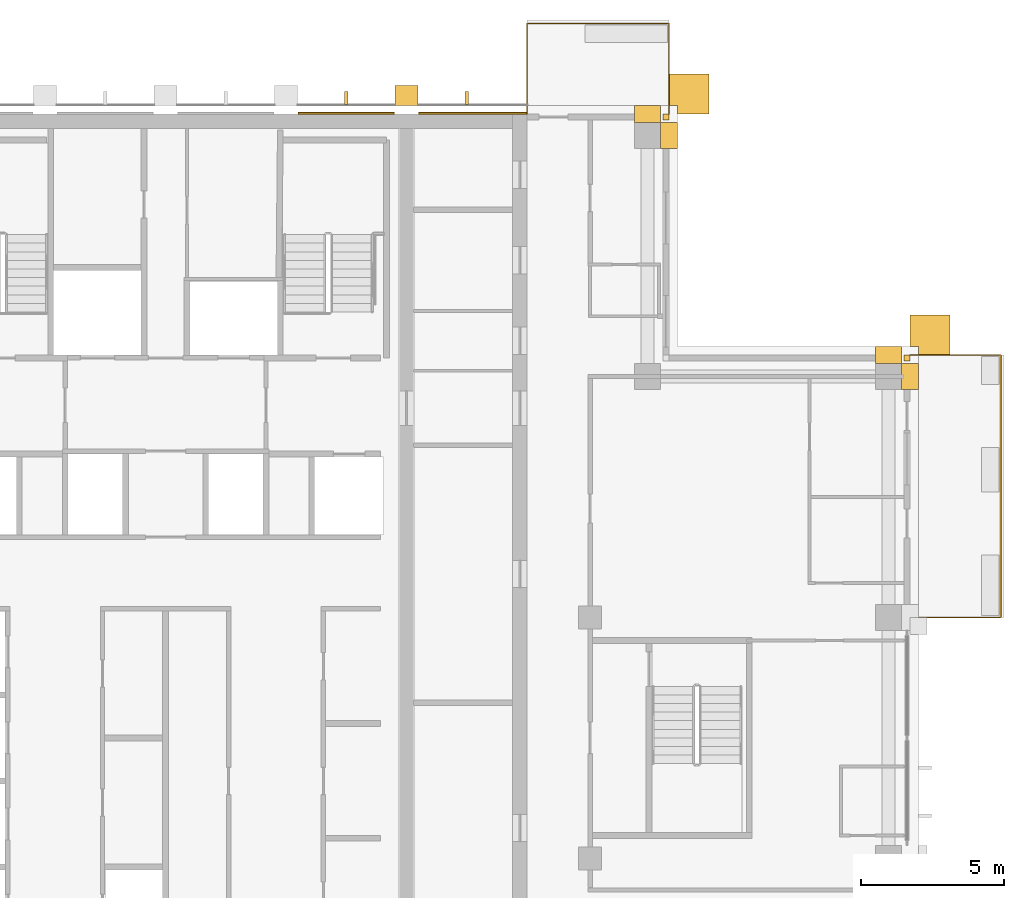
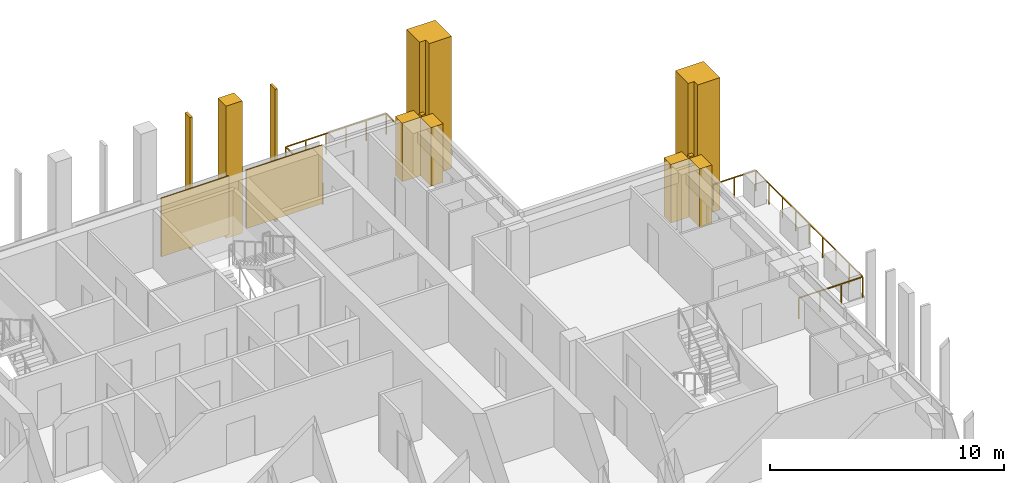
# One storey, part 16 of 16: 13 coverings, 2 railings.
"""IFC4 building model written with IfcOpenShell, lengths in metres."""

from ifc_helpers import new_model, si_unit, direction, frame, origin, origin_2d, place, context, subcontext, project, spatial, polyline, rectangle, outline, extrude, material, layer, layer_set, type_object, element, save


model = new_model("IFC4")

# Units and contexts
model_context = context("Model", 3, precision=1e-05, world=origin(), true_north=direction((0.0, 1.0)))
body_context = subcontext(model_context, "Body", "Model", "MODEL_VIEW")
ifc_project = project(units=[si_unit("LENGTHUNIT", "METRE"), si_unit("AREAUNIT", "SQUARE_METRE"), si_unit("VOLUMEUNIT", "CUBIC_METRE"), si_unit("PLANEANGLEUNIT", "RADIAN"), si_unit("MASSUNIT", "GRAM", prefix="KILO")], contexts=[model_context])

# Site, building, storey
site_placement = place(None, origin())
site = spatial("IfcSite", under=ifc_project, at=site_placement, CompositionType="ELEMENT")
building_placement = place(site_placement, origin())
building = spatial("IfcBuilding", under=site, at=building_placement, Name="Vermilion Ogive Tower", CompositionType="ELEMENT")
storey_placement = place(building_placement, frame((0.0, 0.0, 233.800048828125)))
storey = spatial("IfcBuildingStorey", under=building, at=storey_placement, Name="L61", CompositionType="ELEMENT", Elevation=233.800048828125)

# Railings
ifc_material_1 = material(Name="Stainless steel and glass", Category="steel")
railing_type = type_object("IfcRailingType", Name="Balcony guard", PredefinedType="GUARDRAIL", material=ifc_material_1)
railing_1_placement = place(storey_placement, frame((25.949951171875, 4.199951171875, -0.0400390625)))
element("IfcRailing", 1, at=railing_1_placement, inside=storey, type_object=railing_type, Name="Guard E03", PredefinedType="GUARDRAIL", context=body_context, shape_type="SweptSolid", body=[
    extrude(rectangle(XDim=0.048095703125, YDim=0.048095703125, at=origin_2d()), frame((0.0, 0.0, 1.076171875), z_axis=(1.0, 0.0, 0.0), x_axis=(0.0, 1.0, 0.0)), (0.0, 0.0, 1.0), 3.16015625),
    extrude(rectangle(XDim=0.048095703125, YDim=0.048095703125, at=origin_2d()), frame((3.16015625, 0.0, 1.076171875), z_axis=(0.0, 1.0, 0.0), x_axis=(-1.0, 0.0, 0.0)), (0.0, 0.0, 1.0), 9.150146484375),
    extrude(rectangle(XDim=0.048095703125, YDim=0.048095703125, at=origin_2d()), frame((3.16015625, 9.150146484375, 1.076171875), z_axis=(-1.0, 0.0, 0.0), x_axis=(0.0, -1.0, 0.0)), (0.0, 0.0, 1.0), 3.16015625),
    extrude(rectangle(XDim=0.0419921875, YDim=0.0419921875, at=origin_2d()), origin(), (0.0, 0.0, 1.0), 1.052001953125),
    extrude(rectangle(XDim=0.0419921875, YDim=0.0419921875, at=origin_2d()), frame((1.053466796875, 0.0, 0.0)), (0.0, 0.0, 1.0), 1.052001953125),
    extrude(rectangle(XDim=0.0419921875, YDim=0.0419921875, at=origin_2d()), frame((2.106689453125, 0.0, 0.0)), (0.0, 0.0, 1.0), 1.052001953125),
    extrude(rectangle(XDim=0.0419921875, YDim=0.0419921875, at=origin_2d()), frame((3.16015625, 0.0, 0.0)), (0.0, 0.0, 1.0), 1.052001953125),
    extrude(rectangle(XDim=0.0419921875, YDim=0.0419921875, at=origin_2d()), frame((3.16015625, 1.143798828125, 0.0)), (0.0, 0.0, 1.0), 1.052001953125),
    extrude(rectangle(XDim=0.0419921875, YDim=0.0419921875, at=origin_2d()), frame((3.16015625, 2.28759765625, 0.0)), (0.0, 0.0, 1.0), 1.052001953125),
    extrude(rectangle(XDim=0.0419921875, YDim=0.0419921875, at=origin_2d()), frame((3.16015625, 3.431396484375, 0.0)), (0.0, 0.0, 1.0), 1.052001953125),
    extrude(rectangle(XDim=0.0419921875, YDim=0.0419921875, at=origin_2d()), frame((3.16015625, 4.5751953125, 0.0)), (0.0, 0.0, 1.0), 1.052001953125),
    extrude(rectangle(XDim=0.0419921875, YDim=0.0419921875, at=origin_2d()), frame((3.16015625, 5.71875, 0.0)), (0.0, 0.0, 1.0), 1.052001953125),
    extrude(rectangle(XDim=0.0419921875, YDim=0.0419921875, at=origin_2d()), frame((3.16015625, 6.862548828125, 0.0)), (0.0, 0.0, 1.0), 1.052001953125),
    extrude(rectangle(XDim=0.0419921875, YDim=0.0419921875, at=origin_2d()), frame((3.16015625, 8.00634765625, 0.0)), (0.0, 0.0, 1.0), 1.052001953125),
    extrude(rectangle(XDim=0.0419921875, YDim=0.0419921875, at=origin_2d()), frame((3.16015625, 9.150146484375, 0.0)), (0.0, 0.0, 1.0), 1.052001953125),
    extrude(rectangle(XDim=0.0419921875, YDim=0.0419921875, at=origin_2d()), frame((2.106689453125, 9.150146484375, 0.0)), (0.0, 0.0, 1.0), 1.052001953125),
    extrude(rectangle(XDim=0.0419921875, YDim=0.0419921875, at=origin_2d()), frame((1.053466796875, 9.150146484375, 0.0)), (0.0, 0.0, 1.0), 1.052001953125),
    extrude(rectangle(XDim=0.0419921875, YDim=0.0419921875, at=origin_2d()), frame((0.0, 9.150146484375, 0.0)), (0.0, 0.0, 1.0), 1.052001953125),
])
railing_2_placement = place(storey_placement, frame((17.550048828125, 21.75, -0.0400390625)))
element("IfcRailing", 2, at=railing_2_placement, inside=storey, type_object=railing_type, Name="Guard N101", PredefinedType="GUARDRAIL", context=body_context, shape_type="SweptSolid", body=[
    extrude(rectangle(XDim=0.048095703125, YDim=0.048095703125, at=origin_2d()), frame((0.0, 0.0, 1.076171875), z_axis=(0.0, 1.0, 0.0), x_axis=(-1.0, 0.0, 0.0)), (0.0, 0.0, 1.0), 3.159912109375),
    extrude(rectangle(XDim=0.048095703125, YDim=0.048095703125, at=origin_2d()), frame((0.0, 3.159912109375, 1.076171875), z_axis=(-1.0, 0.0, 0.0), x_axis=(0.0, -1.0, 0.0)), (0.0, 0.0, 1.0), 4.949951171875),
    extrude(rectangle(XDim=0.048095703125, YDim=0.048095703125, at=origin_2d()), frame((-4.949951171875, 3.159912109375, 1.076171875), z_axis=(0.0, -1.0, 0.0), x_axis=(1.0, 0.0, 0.0)), (0.0, 0.0, 1.0), 3.159912109375),
    extrude(rectangle(XDim=0.0419921875, YDim=0.0419921875, at=origin_2d()), origin(), (0.0, 0.0, 1.0), 1.052001953125),
    extrude(rectangle(XDim=0.0419921875, YDim=0.0419921875, at=origin_2d()), frame((0.0, 1.05322265625, 0.0)), (0.0, 0.0, 1.0), 1.052001953125),
    extrude(rectangle(XDim=0.0419921875, YDim=0.0419921875, at=origin_2d()), frame((0.0, 2.106689453125, 0.0)), (0.0, 0.0, 1.0), 1.052001953125),
    extrude(rectangle(XDim=0.0419921875, YDim=0.0419921875, at=origin_2d()), frame((0.0, 3.159912109375, 0.0)), (0.0, 0.0, 1.0), 1.052001953125),
    extrude(rectangle(XDim=0.0419921875, YDim=0.0419921875, at=origin_2d()), frame((-0.989990234375, 3.159912109375, 0.0)), (0.0, 0.0, 1.0), 1.052001953125),
    extrude(rectangle(XDim=0.0419921875, YDim=0.0419921875, at=origin_2d()), frame((-1.97998046875, 3.159912109375, 0.0)), (0.0, 0.0, 1.0), 1.052001953125),
    extrude(rectangle(XDim=0.0419921875, YDim=0.0419921875, at=origin_2d()), frame((-2.969970703125, 3.159912109375, 0.0)), (0.0, 0.0, 1.0), 1.052001953125),
    extrude(rectangle(XDim=0.0419921875, YDim=0.0419921875, at=origin_2d()), frame((-3.9599609375, 3.159912109375, 0.0)), (0.0, 0.0, 1.0), 1.052001953125),
    extrude(rectangle(XDim=0.0419921875, YDim=0.0419921875, at=origin_2d()), frame((-4.949951171875, 3.159912109375, 0.0)), (0.0, 0.0, 1.0), 1.052001953125),
    extrude(rectangle(XDim=0.0419921875, YDim=0.0419921875, at=origin_2d()), frame((-4.949951171875, 2.106689453125, 0.0)), (0.0, 0.0, 1.0), 1.052001953125),
    extrude(rectangle(XDim=0.0419921875, YDim=0.0419921875, at=origin_2d()), frame((-4.949951171875, 1.05322265625, 0.0)), (0.0, 0.0, 1.0), 1.052001953125),
    extrude(rectangle(XDim=0.0419921875, YDim=0.0419921875, at=origin_2d()), frame((-4.949951171875, 0.0, 0.0)), (0.0, 0.0, 1.0), 1.052001953125),
])

# Coverings
ifc_material_2 = material(Name="Glazed ceramic screen")
ifc_layer = layer(ifc_material_2, 0.14990234375)
ifc_layer_set = layer_set([ifc_layer], Name="Ceramic solar screen fin")
covering_type_1 = type_object("IfcCoveringType", Name="Ceramic solar screen fin", PredefinedType="CLADDING", material=ifc_layer_set)
covering_1_placement = place(storey_placement, frame((0.0, 0.0, -0.400146484375)))
element("IfcCovering", 3, at=covering_1_placement, inside=storey, type_object=covering_type_1, Name="Solar screen blade N5", PredefinedType="CLADDING", context=body_context, shape_type="SweptSolid", body=[
    extrude(outline(polyline([(6.239990234375, 22.08203125), (6.360107421875, 22.08203125), (6.360107421875, 22.531982421875), (6.239990234375, 22.531982421875), (6.239990234375, 22.08203125)])), origin(), (0.0, 0.0, 1.0), 6.900146484375),
])
covering_2_placement = place(storey_placement, frame((0.0, 0.0, -0.400146484375)))
element("IfcCovering", 4, at=covering_2_placement, inside=storey, type_object=covering_type_1, Name="Solar screen blade N6", PredefinedType="CLADDING", context=body_context, shape_type="SweptSolid", body=[
    extrude(outline(polyline([(10.43994140625, 22.08203125), (10.56005859375, 22.08203125), (10.56005859375, 22.531982421875), (10.43994140625, 22.531982421875), (10.43994140625, 22.08203125)])), origin(), (0.0, 0.0, 1.0), 6.900146484375),
])
ifc_material_3 = material(Name="Stone cladding", Category="masonry")
covering_type_2 = type_object("IfcCoveringType", Name="Stone buttress pier", PredefinedType="CLADDING", material=ifc_material_3)
covering_3_placement = place(storey_placement, frame((0.0, 0.0, -0.400146484375)))
element("IfcCovering", 5, at=covering_3_placement, inside=storey, type_object=covering_type_2, Name="Stone buttress pier N5", PredefinedType="CLADDING", context=body_context, shape_type="SweptSolid", body=[
    extrude(outline(polyline([(8.800048828125, 22.75), (8.800048828125, 22.050048828125), (8.0, 22.050048828125), (8.0, 22.75), (8.800048828125, 22.75)])), origin(), (0.0, 0.0, 1.0), 6.900146484375),
])
ifc_material_4 = material(Name="Stone cladding", Category="masonry")
covering_type_3 = type_object("IfcCoveringType", Name="Stone cladding panel", PredefinedType="CLADDING", material=ifc_material_4)
covering_4_placement = place(storey_placement, origin())
element("IfcCovering", 6, at=covering_4_placement, inside=storey, type_object=covering_type_3, Name="Stone cladding panel N5", PredefinedType="CLADDING", context=body_context, shape_type="SweptSolid", body=[
    extrude(outline(polyline([(4.6298828125, 21.75), (7.969970703125, 21.75), (7.969970703125, 21.81005859375), (4.6298828125, 21.81005859375), (4.6298828125, 21.75)])), origin(), (0.0, 0.0, 1.0), 3.050048828125),
])
covering_5_placement = place(storey_placement, origin())
element("IfcCovering", 7, at=covering_5_placement, inside=storey, type_object=covering_type_3, Name="Stone cladding panel N6", PredefinedType="CLADDING", context=body_context, shape_type="SweptSolid", body=[
    extrude(outline(polyline([(8.830078125, 21.75), (12.590087890625, 21.75), (12.590087890625, 21.81005859375), (8.830078125, 21.81005859375), (8.830078125, 21.75)])), origin(), (0.0, 0.0, 1.0), 3.050048828125),
])
ifc_material_5 = material(Name="Stone cladding", Category="masonry")
covering_type_4 = type_object("IfcCoveringType", Name="Stone corner buttress", PredefinedType="CLADDING", material=ifc_material_5)
covering_6_placement = place(storey_placement, frame((0.0, 0.0, -0.400146484375)))
element("IfcCovering", 8, at=covering_6_placement, inside=storey, type_object=covering_type_4, Name="Stone corner buttress X31", PredefinedType="CLADDING", context=body_context, shape_type="SweptSolid", body=[
    extrude(outline(polyline([(27.35009765625, 13.35009765625), (26.25, 13.35009765625), (26.25, 13.64990234375), (25.949951171875, 13.64990234375), (25.949951171875, 14.75), (27.35009765625, 14.75), (27.35009765625, 13.35009765625)])), origin(), (0.0, 0.0, 1.0), 6.900146484375),
])
covering_7_placement = place(storey_placement, frame((0.0, 0.0, -0.400146484375)))
element("IfcCovering", 9, at=covering_7_placement, inside=storey, type_object=covering_type_4, Name="Stone corner buttress N11", PredefinedType="CLADDING", context=body_context, shape_type="SweptSolid", body=[
    extrude(outline(polyline([(17.85009765625, 22.050048828125), (17.550048828125, 22.050048828125), (17.550048828125, 23.14990234375), (18.949951171875, 23.14990234375), (18.949951171875, 21.75), (17.85009765625, 21.75), (17.85009765625, 22.050048828125)])), origin(), (0.0, 0.0, 1.0), 6.900146484375),
])
ifc_material_6 = material(Name="Stone cladding", Category="masonry")
covering_type_5 = type_object("IfcCoveringType", Name="Stone pier", PredefinedType="CLADDING", material=ifc_material_6)
covering_8_placement = place(storey_placement, origin())
element("IfcCovering", 10, at=covering_8_placement, inside=storey, type_object=covering_type_5, Name="Stone corner pier EE1", PredefinedType="CLADDING", context=body_context, shape_type="SweptSolid", body=[
    extrude(outline(polyline([(25.75, 13.14990234375), (25.75, 13.35009765625), (25.949951171875, 13.35009765625), (25.949951171875, 13.14990234375), (25.75, 13.14990234375)])), origin(), (0.0, 0.0, 1.0), 3.050048828125),
])
covering_9_placement = place(storey_placement, origin())
element("IfcCovering", 11, at=covering_9_placement, inside=storey, type_object=covering_type_5, Name="Stone corner pier X4E1", PredefinedType="CLADDING", context=body_context, shape_type="SweptSolid", body=[
    extrude(outline(polyline([(17.35009765625, 21.550048828125), (17.35009765625, 21.75), (17.550048828125, 21.75), (17.550048828125, 21.550048828125), (17.35009765625, 21.550048828125)])), origin(), (0.0, 0.0, 1.0), 3.050048828125),
])
covering_10_placement = place(storey_placement, origin())
element("IfcCovering", 12, at=covering_10_placement, inside=storey, type_object=covering_type_5, Name="Stone pier P+0168+210X4", PredefinedType="CLADDING", context=body_context, shape_type="SweptSolid", body=[
    extrude(outline(polyline([(17.85009765625, 21.449951171875), (17.85009765625, 20.550048828125), (17.25, 20.550048828125), (17.25, 21.449951171875), (17.85009765625, 21.449951171875)])), origin(), (0.0, 0.0, 1.0), 3.050048828125),
])
covering_11_placement = place(storey_placement, origin())
element("IfcCovering", 13, at=covering_11_placement, inside=storey, type_object=covering_type_5, Name="Stone pier P+0168+210N1", PredefinedType="CLADDING", context=body_context, shape_type="SweptSolid", body=[
    extrude(outline(polyline([(17.25, 22.050048828125), (17.25, 21.449951171875), (16.35009765625, 21.449951171875), (16.35009765625, 22.050048828125), (17.25, 22.050048828125)])), origin(), (0.0, 0.0, 1.0), 3.050048828125),
])
covering_12_placement = place(storey_placement, origin())
element("IfcCovering", 14, at=covering_12_placement, inside=storey, type_object=covering_type_5, Name="Stone pier P+0252+126E", PredefinedType="CLADDING", context=body_context, shape_type="SweptSolid", body=[
    extrude(outline(polyline([(26.25, 13.050048828125), (26.25, 12.14990234375), (25.64990234375, 12.14990234375), (25.64990234375, 13.050048828125), (26.25, 13.050048828125)])), origin(), (0.0, 0.0, 1.0), 3.050048828125),
])
covering_13_placement = place(storey_placement, origin())
element("IfcCovering", 15, at=covering_13_placement, inside=storey, type_object=covering_type_5, Name="Stone pier P+0252+126X3", PredefinedType="CLADDING", context=body_context, shape_type="SweptSolid", body=[
    extrude(outline(polyline([(25.64990234375, 13.64990234375), (25.64990234375, 13.050048828125), (24.75, 13.050048828125), (24.75, 13.64990234375), (25.64990234375, 13.64990234375)])), origin(), (0.0, 0.0, 1.0), 3.050048828125),
])

save(model, "model.ifc")
